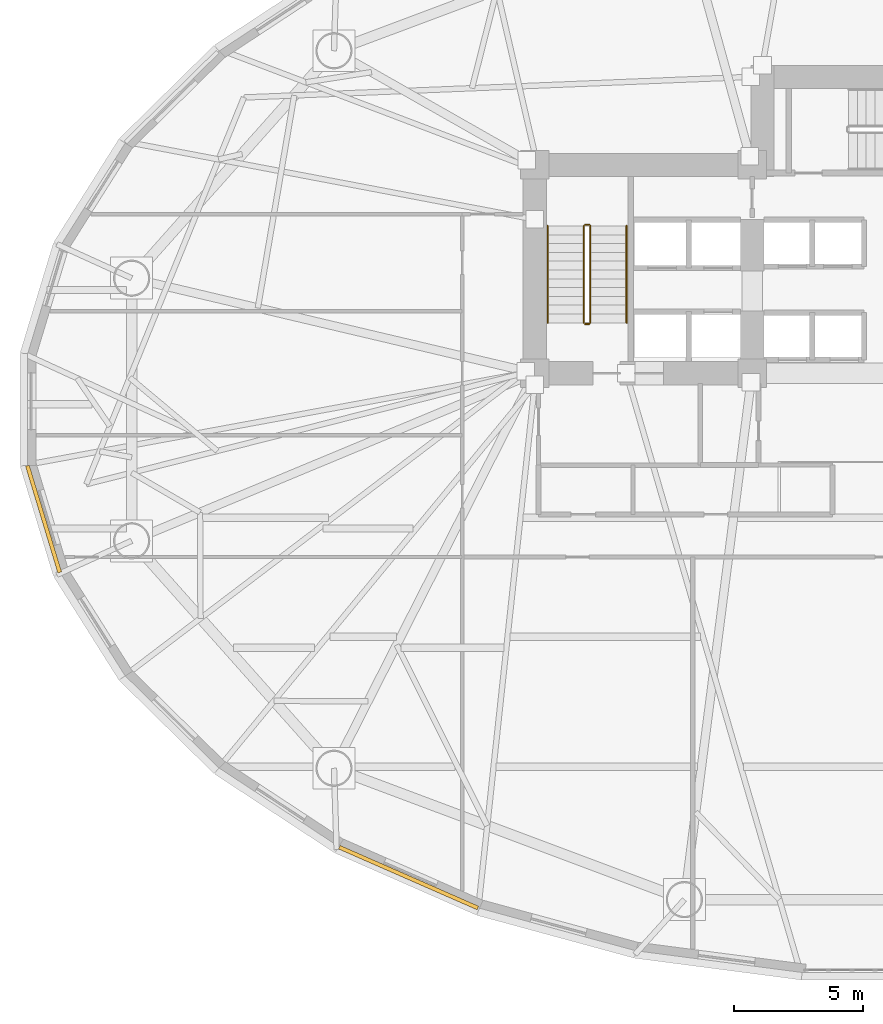
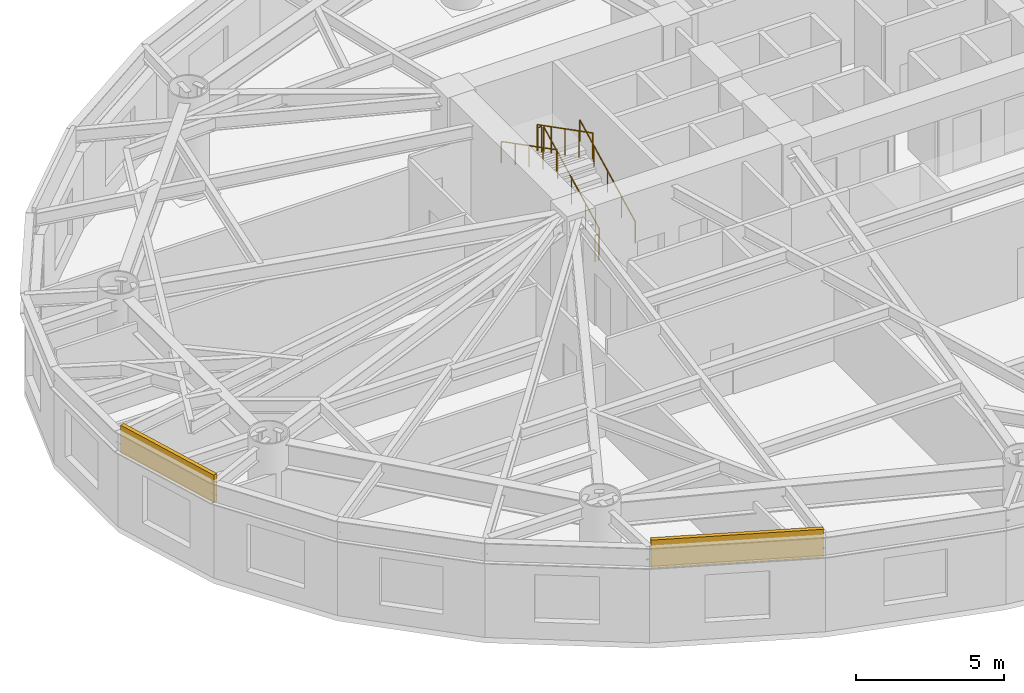
# One storey, part 14 of 18: 6 railings, 2 coverings.
"""IFC4 building model written with IfcOpenShell, lengths in metres."""

from ifc_helpers import new_model, si_unit, direction, frame, origin, origin_2d, place, context, subcontext, project, spatial, rectangle, circle, extrude, material, layer, layer_set, type_object, element, save


model = new_model("IFC4")

# Units and contexts
model_context = context("Model", 3, precision=1e-05, world=origin(), true_north=direction((0.0, 1.0)))
body_context = subcontext(model_context, "Body", "Model", "MODEL_VIEW")
ifc_project = project(units=[si_unit("LENGTHUNIT", "METRE"), si_unit("AREAUNIT", "SQUARE_METRE"), si_unit("VOLUMEUNIT", "CUBIC_METRE"), si_unit("PLANEANGLEUNIT", "RADIAN"), si_unit("MASSUNIT", "GRAM", prefix="KILO")], contexts=[model_context])

# Site, building, storey
site_placement = place(None, origin())
site = spatial("IfcSite", under=ifc_project, at=site_placement, CompositionType="ELEMENT")
building_placement = place(site_placement, origin())
building = spatial("IfcBuilding", under=site, at=building_placement, Name="Keldmark Tower", CompositionType="ELEMENT")
storey_placement = place(building_placement, frame((0.0, 0.0, 6.0)))
storey = spatial("IfcBuildingStorey", under=building, at=storey_placement, Name="L01", CompositionType="ELEMENT", Elevation=6.0)

# Coverings
ifc_material_1 = material(Name="Honed Kasota Buff Dolomitic Limestone", Category="masonry")
ifc_layer = layer(ifc_material_1, 0.074951171875)
ifc_layer_set = layer_set([ifc_layer], Name="Honed Kasota Buff Dolomitic Limestone")
covering_type = type_object("IfcCoveringType", Name="Kasota Buff Limestone Spandrel Cladding Band", PredefinedType="CLADDING", material=ifc_layer_set)
covering_1_placement = place(storey_placement, frame((-32.57373046875, -4.233642578125, 3.032958984375), z_axis=(0.0, 0.0, 1.0), x_axis=(0.289883809569, -0.957061845938, 0.0)))
element("IfcCovering", 1, at=covering_1_placement, inside=storey, type_object=covering_type, Name="L01 Kasota Limestone Spandrel Band 17", PredefinedType="CLADDING", context=body_context, shape_type="SweptSolid", body=[
    extrude(rectangle(XDim=4.2998046875, YDim=0.14990234375, at=origin_2d()), origin(), (0.0, 0.0, 1.0), 1.14697265625),
])
covering_2_placement = place(storey_placement, frame((-18.4697265625, -18.085205078125, 3.032958984375), z_axis=(0.0, 0.0, 1.0), x_axis=(0.915711693691, -0.401835904367, 0.0)))
element("IfcCovering", 2, at=covering_2_placement, inside=storey, type_object=covering_type, Name="L01 Kasota Limestone Spandrel Band 21", PredefinedType="CLADDING", context=body_context, shape_type="SweptSolid", body=[
    extrude(rectangle(XDim=5.843017578125, YDim=0.14990234375, at=origin_2d()), origin(), (0.0, 0.0, 1.0), 1.14697265625),
])

# Railings
ifc_material_2 = material(Name="Painted Steel ASTM A500 Grade B", Category="steel")
railing_type_1 = type_object("IfcRailingType", Name="Painted Steel Stair Well Guard 1100 mm", PredefinedType="GUARDRAIL", material=ifc_material_2)
railing_1_placement = place(storey_placement, frame((-11.449951171875, 3.35009765625, 0.175048828125)))
element("IfcRailing", 3, at=railing_1_placement, inside=storey, type_object=railing_type_1, Name="L01 ST1 stair guard 1", PredefinedType="GUARDRAIL", context=body_context, shape_type="SweptSolid", body=[
    extrude(circle(Radius=0.02392578125, at=origin_2d()), frame((0.0, 0.0, 1.076171875), z_axis=(0.0, 0.889130600629, 0.457653553493), x_axis=(-1.0, 0.0, 0.0)), (0.0, 0.0, 1.0), 4.206298828125),
    extrude(circle(Radius=0.02099609375, at=origin_2d()), origin(), (0.0, 0.0, 1.0), 1.052001953125),
    extrude(circle(Radius=0.02099609375, at=origin_2d()), frame((0.0, 0.93505859375, 0.481201171875)), (0.0, 0.0, 1.0), 1.052001953125),
    extrude(circle(Radius=0.02099609375, at=origin_2d()), frame((0.0, 1.8701171875, 0.96240234375)), (0.0, 0.0, 1.0), 1.052001953125),
    extrude(circle(Radius=0.02099609375, at=origin_2d()), frame((0.0, 2.804931640625, 1.44384765625)), (0.0, 0.0, 1.0), 1.052001953125),
    extrude(circle(Radius=0.02099609375, at=origin_2d()), frame((0.0, 3.739990234375, 1.925048828125)), (0.0, 0.0, 1.0), 1.052001953125),
])
railing_2_placement = place(storey_placement, frame((-11.5, 7.139892578125, 2.10009765625)))
element("IfcRailing", 4, at=railing_2_placement, inside=storey, type_object=railing_type_1, Name="L01 ST1 stair guard 2", PredefinedType="GUARDRAIL", context=body_context, shape_type="SweptSolid", body=[
    extrude(circle(Radius=0.02392578125, at=origin_2d()), frame((0.0, 0.0, 1.076171875), z_axis=(-1.0, 0.0, 0.0), x_axis=(0.0, -1.0, 0.0)), (0.0, 0.0, 1.0), 0.14990234375),
    extrude(circle(Radius=0.02099609375, at=origin_2d()), origin(), (0.0, 0.0, 1.0), 1.052001953125),
    extrude(circle(Radius=0.02099609375, at=origin_2d()), frame((-0.14990234375, 0.0, 0.0)), (0.0, 0.0, 1.0), 1.052001953125),
])
railing_3_placement = place(storey_placement, frame((-11.699951171875, 7.090087890625, 2.27490234375)))
element("IfcRailing", 5, at=railing_3_placement, inside=storey, type_object=railing_type_1, Name="L01 ST1 stair guard 3", PredefinedType="GUARDRAIL", context=body_context, shape_type="SweptSolid", body=[
    extrude(circle(Radius=0.02392578125, at=origin_2d()), frame((0.0, 0.0, 1.076171875), z_axis=(0.0, -0.889130600629, 0.457653553493), x_axis=(1.0, 0.0, 0.0)), (0.0, 0.0, 1.0), 4.206298828125),
    extrude(circle(Radius=0.02099609375, at=origin_2d()), origin(), (0.0, 0.0, 1.0), 1.052001953125),
    extrude(circle(Radius=0.02099609375, at=origin_2d()), frame((0.0, -0.93505859375, 0.481201171875)), (0.0, 0.0, 1.0), 1.052001953125),
    extrude(circle(Radius=0.02099609375, at=origin_2d()), frame((0.0, -1.8701171875, 0.96240234375)), (0.0, 0.0, 1.0), 1.052001953125),
    extrude(circle(Radius=0.02099609375, at=origin_2d()), frame((0.0, -2.804931640625, 1.44384765625)), (0.0, 0.0, 1.0), 1.052001953125),
    extrude(circle(Radius=0.02099609375, at=origin_2d()), frame((0.0, -3.739990234375, 1.925048828125)), (0.0, 0.0, 1.0), 1.052001953125),
])
railing_4_placement = place(storey_placement, frame((-11.5, 3.300048828125, 0.0)))
element("IfcRailing", 6, at=railing_4_placement, inside=storey, type_object=railing_type_1, Name="L01 ST1 stair guard 4", PredefinedType="GUARDRAIL", context=body_context, shape_type="SweptSolid", body=[
    extrude(circle(Radius=0.02392578125, at=origin_2d()), frame((0.0, 0.0, 1.076171875), z_axis=(-1.0, 0.0, 0.0), x_axis=(0.0, -1.0, 0.0)), (0.0, 0.0, 1.0), 0.14990234375),
    extrude(circle(Radius=0.02099609375, at=origin_2d()), origin(), (0.0, 0.0, 1.0), 1.052001953125),
    extrude(circle(Radius=0.02099609375, at=origin_2d()), frame((-0.14990234375, 0.0, 0.0)), (0.0, 0.0, 1.0), 1.052001953125),
])
ifc_material_3 = material(Name="Stainless Steel AISI 316L", Category="steel")
railing_type_2 = type_object("IfcRailingType", Name="Stainless Steel Stair Handrail 900 mm", PredefinedType="HANDRAIL", material=ifc_material_3)
railing_5_placement = place(storey_placement, frame((-10.050048828125, 3.35009765625, 0.175048828125)))
element("IfcRailing", 7, at=railing_5_placement, inside=storey, type_object=railing_type_2, Name="L01 ST1 stair handrail 1", PredefinedType="HANDRAIL", context=body_context, shape_type="SweptSolid", body=[
    extrude(circle(Radius=0.02392578125, at=origin_2d()), frame((0.0, 0.0, 0.8759765625), z_axis=(0.0, 0.889130600629, 0.457653553493), x_axis=(-1.0, 0.0, 0.0)), (0.0, 0.0, 1.0), 4.206298828125),
    extrude(circle(Radius=0.02099609375, at=origin_2d()), origin(), (0.0, 0.0, 1.0), 0.851806640625),
    extrude(circle(Radius=0.02099609375, at=origin_2d()), frame((0.0, 0.93505859375, 0.481201171875)), (0.0, 0.0, 1.0), 0.851806640625),
    extrude(circle(Radius=0.02099609375, at=origin_2d()), frame((0.0, 1.8701171875, 0.96240234375)), (0.0, 0.0, 1.0), 0.851806640625),
    extrude(circle(Radius=0.02099609375, at=origin_2d()), frame((0.0, 2.804931640625, 1.44384765625)), (0.0, 0.0, 1.0), 0.851806640625),
    extrude(circle(Radius=0.02099609375, at=origin_2d()), frame((0.0, 3.739990234375, 1.925048828125)), (0.0, 0.0, 1.0), 0.851806640625),
])
railing_6_placement = place(storey_placement, frame((-13.10009765625, 7.090087890625, 2.27490234375)))
element("IfcRailing", 8, at=railing_6_placement, inside=storey, type_object=railing_type_2, Name="L01 ST1 stair handrail 2", PredefinedType="HANDRAIL", context=body_context, shape_type="SweptSolid", body=[
    extrude(circle(Radius=0.02392578125, at=origin_2d()), frame((0.0, 0.0, 0.8759765625), z_axis=(0.0, -0.889130600629, 0.457653553493), x_axis=(1.0, 0.0, 0.0)), (0.0, 0.0, 1.0), 4.206298828125),
    extrude(circle(Radius=0.02099609375, at=origin_2d()), origin(), (0.0, 0.0, 1.0), 0.851806640625),
    extrude(circle(Radius=0.02099609375, at=origin_2d()), frame((0.0, -0.93505859375, 0.481201171875)), (0.0, 0.0, 1.0), 0.851806640625),
    extrude(circle(Radius=0.02099609375, at=origin_2d()), frame((0.0, -1.8701171875, 0.96240234375)), (0.0, 0.0, 1.0), 0.851806640625),
    extrude(circle(Radius=0.02099609375, at=origin_2d()), frame((0.0, -2.804931640625, 1.44384765625)), (0.0, 0.0, 1.0), 0.851806640625),
    extrude(circle(Radius=0.02099609375, at=origin_2d()), frame((0.0, -3.739990234375, 1.925048828125)), (0.0, 0.0, 1.0), 0.851806640625),
])

save(model, "model.ifc")
